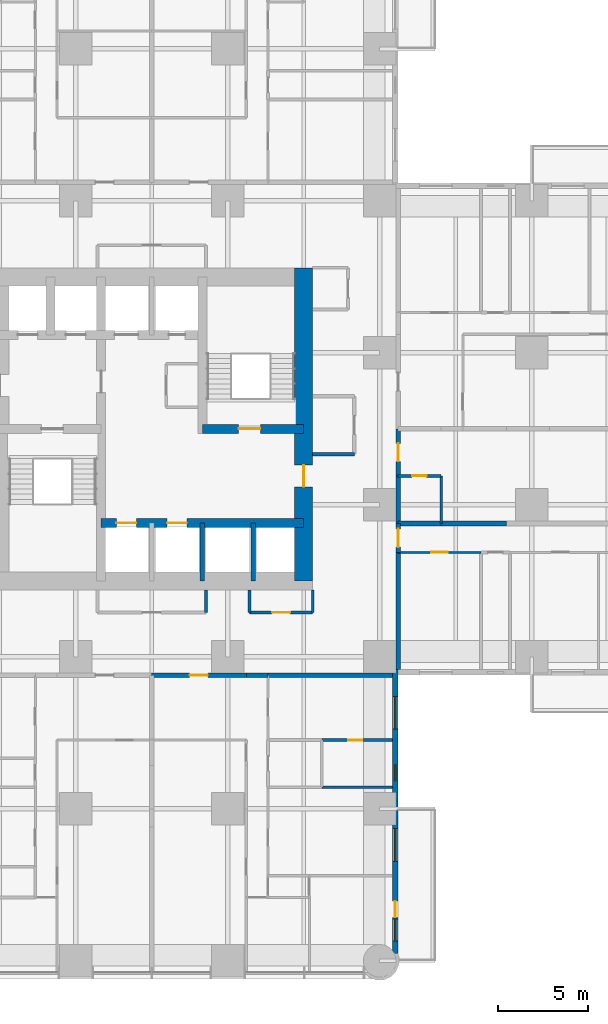
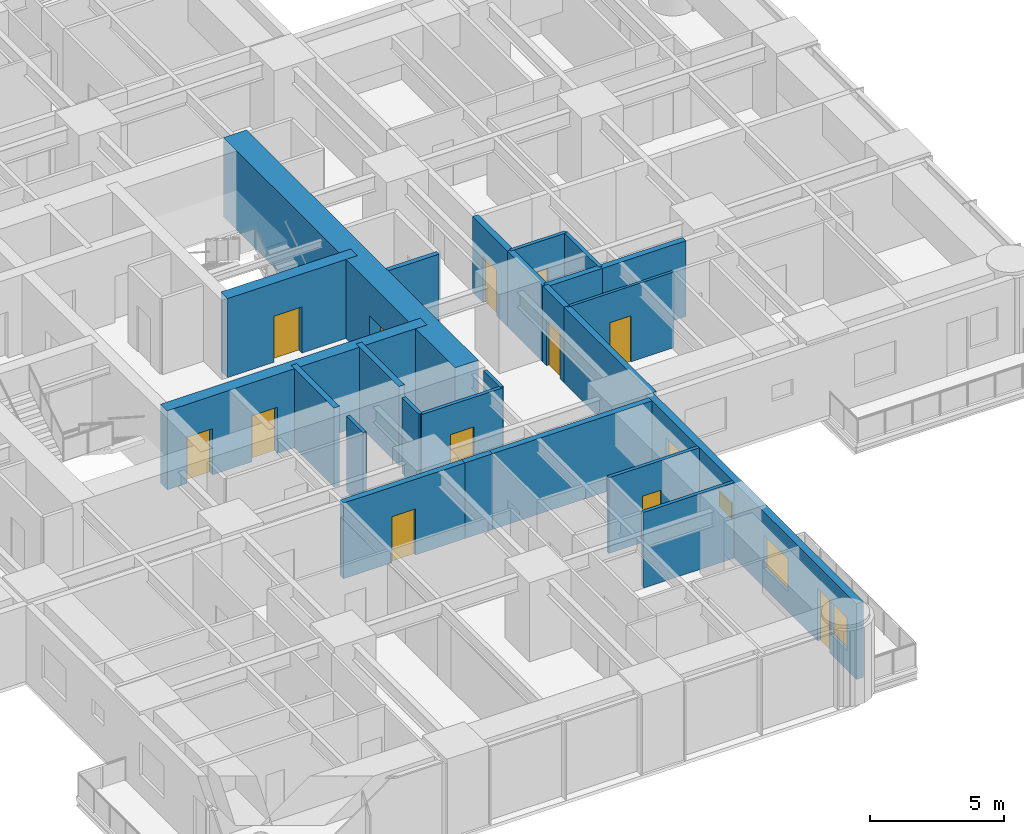
# One storey, part 10 of 17: 25 walls, 12 doors, 4 windows, 16 openings.
"""IFC4 building model written with IfcOpenShell, lengths in metres."""

from ifc_helpers import new_model, si_unit, direction, frame, frame_2d, origin, place, context, subcontext, project, spatial, rectangle, extrude, material, layer, layer_set, type_object, element, fill, save


model = new_model("IFC4")

# Units and contexts
model_context = context("Model", 3, precision=1e-05, world=origin(), true_north=direction((0.0, 1.0)))
body_context = subcontext(model_context, "Body", "Model", "MODEL_VIEW")
ifc_project = project(units=[si_unit("LENGTHUNIT", "METRE"), si_unit("AREAUNIT", "SQUARE_METRE"), si_unit("VOLUMEUNIT", "CUBIC_METRE"), si_unit("PLANEANGLEUNIT", "RADIAN"), si_unit("MASSUNIT", "GRAM", prefix="KILO")], contexts=[model_context])

# Site, building, storey
site_placement = place(None, origin())
site = spatial("IfcSite", under=ifc_project, at=site_placement, CompositionType="ELEMENT")
building_placement = place(site_placement, origin())
building = spatial("IfcBuilding", under=site, at=building_placement, Name="Torre Alcanfor", CompositionType="ELEMENT")
storey_placement = place(building_placement, frame((0.0, 0.0, 59.699951171875)))
storey = spatial("IfcBuildingStorey", under=building, at=storey_placement, Name="L14", CompositionType="ELEMENT", Elevation=59.699951171875)

# Wall, opening, door
ifc_material_1 = material(Name="Concrete block masonry, hollow blocks NMX-C-404 9 MPa", Category="masonry")
ifc_layer_1 = layer(ifc_material_1, 0.25)
ifc_layer_set_1 = layer_set([ifc_layer_1], Name="Apartment entrance wall 250 EI 60")
wall_type_1 = type_object("IfcWallType", Name="Apartment entrance wall 250 EI 60", PredefinedType="PARTITIONING", material=ifc_layer_set_1)
wall_1_placement = place(storey_placement, frame((43.02490234375, 29.39990234375, 0.0), z_axis=(0.0, 0.0, 1.0), x_axis=(0.0, -1.0, 0.0)))
wall_1 = element("IfcWall", 1, at=wall_1_placement, inside=storey, type_object=wall_type_1, Name="Partition L14-CORR / L14-E2A-FOYER", PredefinedType="PARTITIONING", context=body_context, shape_type="SweptSolid", body=[
    extrude(rectangle(XDim=2.599853515625, YDim=0.25, at=frame_2d((1.2998046875, 0.0))), origin(), (0.0, 0.0, 1.0), 3.449951171875),
])
opening_1_placement = place(wall_1_placement, frame((0.800048828125, 0.0, 0.0)))
opening_1 = element("IfcOpeningElement", 2, at=opening_1_placement, cuts=wall_1, Name="Opening D-A1", PredefinedType="OPENING", context=body_context, shape_type="SweptSolid", body=[
    extrude(rectangle(XDim=1.0, YDim=2.10009765625, at=frame_2d((0.5, 1.050048828125))), frame((0.0, 0.135009765625, 0.0), z_axis=(0.0, -1.0, 0.0), x_axis=(1.0, 0.0, 0.0)), (0.0, 0.0, 1.0), 0.27001953125),
])
ifc_material_2 = material(Name="Galvanised steel sheet ASTM A653", Category="steel")
door_type_1 = type_object("IfcDoorType", Name="Apartment entrance door FD60 1000x2100", OperationType="SINGLE_SWING_LEFT", PredefinedType="DOOR", material=ifc_material_2)
door_1_placement = place(opening_1_placement, origin())
door_1 = element("IfcDoor", 3, at=door_1_placement, inside=storey, type_object=door_type_1, Name="Apartment entrance L14-E2A", OperationType="SINGLE_SWING_LEFT", OverallHeight=2.10009765625, OverallWidth=1.0, PredefinedType="DOOR", context=body_context, shape_type="SweptSolid", body=[
    extrude(rectangle(XDim=1.0, YDim=2.10009765625, at=frame_2d((0.5, 1.050048828125))), frame((0.0, 0.02490234375, 0.0), z_axis=(0.0, -1.0, 0.0), x_axis=(1.0, 0.0, 0.0)), (0.0, 0.0, 1.0), 0.050048828125),
])
fill(opening_1, door_1)

# Wall
wall_2_placement = place(storey_placement, frame((43.02490234375, 26.800048828125, 0.0), z_axis=(0.0, 0.0, 1.0), x_axis=(0.0, -1.0, 0.0)))
element("IfcWall", 4, at=wall_2_placement, inside=storey, type_object=wall_type_1, Name="Partition L14-CORR / L14-E2A-BATH", PredefinedType="PARTITIONING", context=body_context, shape_type="SweptSolid", body=[
    extrude(rectangle(XDim=2.629150390625, YDim=0.25, at=frame_2d((1.314453125, 0.0))), origin(), (0.0, 0.0, 1.0), 3.449951171875),
])

# Wall, opening, door
wall_3_placement = place(storey_placement, frame((43.02490234375, 24.1708984375, 0.0), z_axis=(0.0, 0.0, 1.0), x_axis=(0.0, -1.0, 0.0)))
wall_3 = element("IfcWall", 5, at=wall_3_placement, inside=storey, type_object=wall_type_1, Name="Partition L14-CORR / L14-E2B-HALL", PredefinedType="PARTITIONING", context=body_context, shape_type="SweptSolid", body=[
    extrude(rectangle(XDim=1.599853515625, YDim=0.25, at=frame_2d((0.7998046875, 0.0))), origin(), (0.0, 0.0, 1.0), 3.449951171875),
])
opening_2_placement = place(wall_3_placement, frame((0.300048828125, 0.0, 0.0)))
opening_2 = element("IfcOpeningElement", 6, at=opening_2_placement, cuts=wall_3, Name="Opening D-A1", PredefinedType="OPENING", context=body_context, shape_type="SweptSolid", body=[
    extrude(rectangle(XDim=1.0, YDim=2.10009765625, at=frame_2d((0.5, 1.050048828125))), frame((0.0, 0.135009765625, 0.0), z_axis=(0.0, -1.0, 0.0), x_axis=(1.0, 0.0, 0.0)), (0.0, 0.0, 1.0), 0.27001953125),
])
door_2_placement = place(opening_2_placement, origin())
door_2 = element("IfcDoor", 7, at=door_2_placement, inside=storey, type_object=door_type_1, Name="Apartment entrance L14-E2B", OperationType="SINGLE_SWING_LEFT", OverallHeight=2.10009765625, OverallWidth=1.0, PredefinedType="DOOR", context=body_context, shape_type="SweptSolid", body=[
    extrude(rectangle(XDim=1.0, YDim=2.10009765625, at=frame_2d((0.5, 1.050048828125))), frame((0.0, 0.02490234375, 0.0), z_axis=(0.0, -1.0, 0.0), x_axis=(1.0, 0.0, 0.0)), (0.0, 0.0, 1.0), 0.050048828125),
])
fill(opening_2, door_2)

# Wall
wall_4_placement = place(storey_placement, frame((43.02490234375, 22.571044921875, 0.0), z_axis=(0.0, 0.0, 1.0), x_axis=(0.0, -1.0, 0.0)))
element("IfcWall", 8, at=wall_4_placement, inside=storey, type_object=wall_type_1, Name="Partition L14-CORR / L14-E2B-BED2", PredefinedType="PARTITIONING", context=body_context, shape_type="SweptSolid", body=[
    extrude(rectangle(XDim=6.470947265625, YDim=0.25, at=frame_2d((3.2353515625, 0.0))), origin(), (0.0, 0.0, 1.0), 3.449951171875),
])

# Wall, opening, door
wall_5_placement = place(storey_placement, frame((34.62890625, 15.77490234375, 0.0), z_axis=(0.0, 0.0, 1.0), x_axis=(-1.0, 0.0, 0.0)))
wall_5 = element("IfcWall", 9, at=wall_5_placement, inside=storey, type_object=wall_type_1, Name="Partition L14-CORR / L14-S1-ZAG", PredefinedType="PARTITIONING", context=body_context, shape_type="SweptSolid", body=[
    extrude(rectangle(XDim=5.22900390625, YDim=0.25, at=frame_2d((2.614501953125, 0.0))), origin(), (0.0, 0.0, 1.0), 3.449951171875),
])
opening_3_placement = place(wall_5_placement, frame((2.12890625, 0.0, 0.0)))
opening_3 = element("IfcOpeningElement", 10, at=opening_3_placement, cuts=wall_5, Name="Opening D-A1", PredefinedType="OPENING", context=body_context, shape_type="SweptSolid", body=[
    extrude(rectangle(XDim=1.0, YDim=2.10009765625, at=frame_2d((0.5, 1.050048828125))), frame((0.0, 0.135009765625, 0.0), z_axis=(0.0, -1.0, 0.0), x_axis=(1.0, 0.0, 0.0)), (0.0, 0.0, 1.0), 0.27001953125),
])
door_3_placement = place(opening_3_placement, origin())
door_3 = element("IfcDoor", 11, at=door_3_placement, inside=storey, type_object=door_type_1, Name="Apartment entrance L14-S1", OperationType="SINGLE_SWING_RIGHT", OverallHeight=2.10009765625, OverallWidth=1.0, PredefinedType="DOOR", context=body_context, shape_type="SweptSolid", body=[
    extrude(rectangle(XDim=1.0, YDim=2.10009765625, at=frame_2d((0.5, 1.050048828125))), frame((0.0, 0.02490234375, 0.0), z_axis=(0.0, -1.0, 0.0), x_axis=(1.0, 0.0, 0.0)), (0.0, 0.0, 1.0), 0.050048828125),
])
fill(opening_3, door_3)

# Walls
wall_6_placement = place(storey_placement, frame((35.8291015625, 15.77490234375, 0.0), z_axis=(0.0, 0.0, 1.0), x_axis=(-1.0, 0.0, 0.0)))
element("IfcWall", 12, at=wall_6_placement, inside=storey, type_object=wall_type_1, Name="Partition L14-CORR / L14-S1-HALL", PredefinedType="PARTITIONING", context=body_context, shape_type="SweptSolid", body=[
    extrude(rectangle(XDim=1.2001953125, YDim=0.25, at=frame_2d((0.60009765625, 0.0))), origin(), (0.0, 0.0, 1.0), 3.449951171875),
])
wall_7_placement = place(storey_placement, frame((42.699951171875, 15.77490234375, 0.0), z_axis=(0.0, 0.0, 1.0), x_axis=(-1.0, 0.0, 0.0)))
element("IfcWall", 13, at=wall_7_placement, inside=storey, type_object=wall_type_1, Name="Partition L14-CORR / L14-S1-SERV", PredefinedType="PARTITIONING", context=body_context, shape_type="SweptSolid", body=[
    extrude(rectangle(XDim=6.870849609375, YDim=0.25, at=frame_2d((3.435546875, 0.0))), origin(), (0.0, 0.0, 1.0), 3.449951171875),
])

# Wall, opening, door
ifc_material_3 = material(Name="Gypsum board on steel studs", Category="steel")
ifc_layer_2 = layer(ifc_material_3, 0.1201171875)
ifc_layer_set_2 = layer_set([ifc_layer_2], Name="Apartment partition 120")
wall_type_2 = type_object("IfcWallType", Name="Apartment partition 120", PredefinedType="PARTITIONING", material=ifc_layer_set_2)
wall_8_placement = place(storey_placement, frame((47.60009765625, 22.571044921875, 0.0), z_axis=(0.0, 0.0, 1.0), x_axis=(-1.0, 0.0, 0.0)))
wall_8 = element("IfcWall", 14, at=wall_8_placement, inside=storey, type_object=wall_type_2, Name="Partition L14-E2B-HALL / L14-E2B-BED2", PredefinedType="PARTITIONING", context=body_context, shape_type="SweptSolid", body=[
    extrude(rectangle(XDim=4.5751953125, YDim=0.1201171875, at=frame_2d((2.28759765625, 0.0))), origin(), (0.0, 0.0, 1.0), 3.449951171875),
])
opening_4_placement = place(wall_8_placement, frame((1.85009765625, 0.0, 0.0)))
opening_4 = element("IfcOpeningElement", 15, at=opening_4_placement, cuts=wall_8, Name="Opening D-R1", PredefinedType="OPENING", context=body_context, shape_type="SweptSolid", body=[
    extrude(rectangle(XDim=0.89990234375, YDim=2.10009765625, at=frame_2d((0.449951171875, 1.050048828125))), frame((0.0, 0.070068359375, 0.0), z_axis=(0.0, -1.0, 0.0), x_axis=(1.0, 0.0, 0.0)), (0.0, 0.0, 1.0), 0.14013671875),
])
ifc_material_4 = material(Name="Timber", Category="wood")
door_type_2 = type_object("IfcDoorType", Name="Internal door 900x2100", OperationType="SINGLE_SWING_LEFT", PredefinedType="DOOR", material=ifc_material_4)
door_4_placement = place(opening_4_placement, origin())
door_4 = element("IfcDoor", 16, at=door_4_placement, inside=storey, type_object=door_type_2, Name="Door L14-E2B bed2", OperationType="SINGLE_SWING_RIGHT", OverallHeight=2.10009765625, OverallWidth=0.89990234375, PredefinedType="DOOR", context=body_context, shape_type="SweptSolid", body=[
    extrude(rectangle(XDim=0.89990234375, YDim=2.10009765625, at=frame_2d((0.449951171875, 1.050048828125))), frame((0.0, 0.02490234375, 0.0), z_axis=(0.0, -1.0, 0.0), x_axis=(1.0, 0.0, 0.0)), (0.0, 0.0, 1.0), 0.050048828125),
])
fill(opening_4, door_4)

# Wall, openings, doors
ifc_material_5 = material(Name="Concrete f'c 70 MPa", Category="concrete")
ifc_layer_3 = layer(ifc_material_5, 0.5)
ifc_layer_set_3 = layer_set([ifc_layer_3], Name="Core inner wall 500 f'c70")
wall_type_3 = type_object("IfcWallType", Name="Core inner wall 500 f'c70", PredefinedType="SHEAR", material=ifc_layer_set_3)
wall_9_placement = place(storey_placement, frame((26.60009765625, 24.199951171875, 0.0), z_axis=(0.0, 0.0, 1.0), x_axis=(1.0, 0.0, 0.0)))
wall_9 = element("IfcWall", 17, at=wall_9_placement, inside=storey, type_object=wall_type_3, Name="Core wall Y242 L14", PredefinedType="SHEAR", context=body_context, shape_type="SweptSolid", body=[
    extrude(rectangle(XDim=11.199951171875, YDim=0.5, at=frame_2d((5.60009765625, 0.0))), origin(), (0.0, 0.0, 1.0), 3.60009765625),
])
opening_5_placement = place(wall_9_placement, frame((0.85009765625, 0.0, 0.0)))
opening_5 = element("IfcOpeningElement", 18, at=opening_5_placement, cuts=wall_9, Name="Opening LD1", PredefinedType="OPENING", context=body_context, shape_type="SweptSolid", body=[
    extrude(rectangle(XDim=1.10009765625, YDim=2.10009765625, at=frame_2d((0.550048828125, 1.050048828125))), frame((0.0, 0.260009765625, 0.0), z_axis=(0.0, -1.0, 0.0), x_axis=(1.0, 0.0, 0.0)), (0.0, 0.0, 1.0), 0.52001953125),
])
opening_6_placement = place(wall_9_placement, frame((3.64990234375, 0.0, 0.0)))
opening_6 = element("IfcOpeningElement", 19, at=opening_6_placement, cuts=wall_9, Name="Opening LD1", PredefinedType="OPENING", context=body_context, shape_type="SweptSolid", body=[
    extrude(rectangle(XDim=1.10009765625, YDim=2.10009765625, at=frame_2d((0.550048828125, 1.050048828125))), frame((0.0, 0.260009765625, 0.0), z_axis=(0.0, -1.0, 0.0), x_axis=(1.0, 0.0, 0.0)), (0.0, 0.0, 1.0), 0.52001953125),
])
ifc_material_6 = material(Name="Galvanised steel sheet ASTM A653", Category="steel")
door_type_3 = type_object("IfcDoorType", Name="Lift landing door 1100x2100", OperationType="DOUBLE_DOOR_SLIDING", PredefinedType="DOOR", material=ifc_material_6)
door_5_placement = place(opening_5_placement, origin())
door_5 = element("IfcDoor", 20, at=door_5_placement, inside=storey, type_object=door_type_3, Name="Lift landing door PA1 L14", OperationType="DOUBLE_DOOR_SLIDING", OverallHeight=2.10009765625, OverallWidth=1.10009765625, PredefinedType="DOOR", context=body_context, shape_type="SweptSolid", body=[
    extrude(rectangle(XDim=1.10009765625, YDim=2.10009765625, at=frame_2d((0.550048828125, 1.050048828125))), frame((0.0, 0.02490234375, 0.0), z_axis=(0.0, -1.0, 0.0), x_axis=(1.0, 0.0, 0.0)), (0.0, 0.0, 1.0), 0.050048828125),
])
fill(opening_5, door_5)
door_6_placement = place(opening_6_placement, origin())
door_6 = element("IfcDoor", 21, at=door_6_placement, inside=storey, type_object=door_type_3, Name="Lift landing door PA2 L14", OperationType="DOUBLE_DOOR_SLIDING", OverallHeight=2.10009765625, OverallWidth=1.10009765625, PredefinedType="DOOR", context=body_context, shape_type="SweptSolid", body=[
    extrude(rectangle(XDim=1.10009765625, YDim=2.10009765625, at=frame_2d((0.550048828125, 1.050048828125))), frame((0.0, 0.02490234375, 0.0), z_axis=(0.0, -1.0, 0.0), x_axis=(1.0, 0.0, 0.0)), (0.0, 0.0, 1.0), 0.050048828125),
])
fill(opening_6, door_6)

# Wall, opening, door
wall_10_placement = place(storey_placement, frame((32.199951171875, 29.39990234375, 0.0), z_axis=(0.0, 0.0, 1.0), x_axis=(1.0, 0.0, 0.0)))
wall_10 = element("IfcWall", 22, at=wall_10_placement, inside=storey, type_object=wall_type_3, Name="Core wall Y294E L14", PredefinedType="SHEAR", context=body_context, shape_type="SweptSolid", body=[
    extrude(rectangle(XDim=5.60009765625, YDim=0.5, at=frame_2d((2.800048828125, 0.0))), origin(), (0.0, 0.0, 1.0), 3.60009765625),
])
opening_7_placement = place(wall_10_placement, frame((2.0, 0.0, 0.0)))
opening_7 = element("IfcOpeningElement", 23, at=opening_7_placement, cuts=wall_10, Name="Opening D-S2", PredefinedType="OPENING", context=body_context, shape_type="SweptSolid", body=[
    extrude(rectangle(XDim=1.199951171875, YDim=2.10009765625, at=frame_2d((0.60009765625, 1.050048828125))), frame((0.0, 0.260009765625, 0.0), z_axis=(0.0, -1.0, 0.0), x_axis=(1.0, 0.0, 0.0)), (0.0, 0.0, 1.0), 0.52001953125),
])
ifc_material_7 = material(Name="Galvanised steel sheet ASTM A653", Category="steel")
door_type_4 = type_object("IfcDoorType", Name="Stair enclosure door FD120 1200x2100", OperationType="SINGLE_SWING_LEFT", PredefinedType="DOOR", material=ifc_material_7)
door_7_placement = place(opening_7_placement, origin())
door_7 = element("IfcDoor", 24, at=door_7_placement, inside=storey, type_object=door_type_4, Name="Stair S2 door L14", OperationType="SINGLE_SWING_LEFT", OverallHeight=2.10009765625, OverallWidth=1.199951171875, PredefinedType="DOOR", context=body_context, shape_type="SweptSolid", body=[
    extrude(rectangle(XDim=1.199951171875, YDim=2.10009765625, at=frame_2d((0.60009765625, 1.050048828125))), frame((0.0, 0.02490234375, 0.0), z_axis=(0.0, -1.0, 0.0), x_axis=(1.0, 0.0, 0.0)), (0.0, 0.0, 1.0), 0.050048828125),
])
fill(opening_7, door_7)

# Walls
ifc_material_8 = material(Name="Concrete f'c 70 MPa", Category="concrete")
ifc_layer_4 = layer(ifc_material_8, 0.25)
ifc_layer_set_4 = layer_set([ifc_layer_4], Name="Core shaft wall 250 f'c70")
wall_type_4 = type_object("IfcWallType", Name="Core shaft wall 250 f'c70", PredefinedType="SHEAR", material=ifc_layer_set_4)
for number, where, z_axis, x_axis, name in (
    (25, (32.199951171875, 21.0, 0.0), (0.0, 0.0, 1.0), (0.0, 1.0, 0.0), "Core wall X322S L14"),
    (26, (35.0, 21.0, 0.0), (0.0, 0.0, 1.0), (0.0, 1.0, 0.0), "Core wall X350S L14"),
):
    element("IfcWall", number, at=place(storey_placement, frame(where, z_axis=z_axis, x_axis=x_axis)), inside=storey, type_object=wall_type_4, Name=name, PredefinedType="SHEAR", context=body_context, shape_type="SweptSolid", body=[
        extrude(rectangle(XDim=3.199951171875, YDim=0.25, at=frame_2d((1.60009765625, 0.0))), origin(), (0.0, 0.0, 1.0), 3.60009765625),
    ])

# Wall, opening, door
ifc_material_9 = material(Name="Concrete f'c 70 MPa", Category="concrete")
ifc_layer_5 = layer(ifc_material_9, 1.0)
ifc_layer_set_5 = layer_set([ifc_layer_5], Name="Core wall 1000 f'c70")
wall_type_5 = type_object("IfcWallType", Name="Core wall 1000 f'c70", PredefinedType="SHEAR", material=ifc_layer_set_5)
wall_11_placement = place(storey_placement, frame((37.800048828125, 21.0, 0.0), z_axis=(0.0, 0.0, 1.0), x_axis=(0.0, 1.0, 0.0)))
wall_11 = element("IfcWall", 27, at=wall_11_placement, inside=storey, type_object=wall_type_5, Name="Core wall OUT-E L14", PredefinedType="SHEAR", context=body_context, shape_type="SweptSolid", body=[
    extrude(rectangle(XDim=17.300048828125, YDim=1.0, at=frame_2d((8.64990234375, 0.0))), origin(), (0.0, 0.0, 1.0), 3.60009765625),
])
opening_8_placement = place(wall_11_placement, frame((5.199951171875, 0.0, 0.0)))
opening_8 = element("IfcOpeningElement", 28, at=opening_8_placement, cuts=wall_11, Name="Opening D-L1", PredefinedType="OPENING", context=body_context, shape_type="SweptSolid", body=[
    extrude(rectangle(XDim=1.199951171875, YDim=2.10009765625, at=frame_2d((0.60009765625, 1.050048828125))), frame((0.0, 0.510009765625, 0.0), z_axis=(0.0, -1.0, 0.0), x_axis=(1.0, 0.0, 0.0)), (0.0, 0.0, 1.0), 1.02001953125),
])
ifc_material_10 = material(Name="Galvanised steel sheet ASTM A653", Category="steel")
door_type_5 = type_object("IfcDoorType", Name="Lobby door FD120 1200x2100", OperationType="SINGLE_SWING_LEFT", PredefinedType="DOOR", material=ifc_material_10)
door_8_placement = place(opening_8_placement, origin())
door_8 = element("IfcDoor", 29, at=door_8_placement, inside=storey, type_object=door_type_5, Name="Lift lobby entrance door L14", OperationType="SINGLE_SWING_LEFT", OverallHeight=2.10009765625, OverallWidth=1.199951171875, PredefinedType="DOOR", context=body_context, shape_type="SweptSolid", body=[
    extrude(rectangle(XDim=1.199951171875, YDim=2.10009765625, at=frame_2d((0.60009765625, 1.050048828125))), frame((0.0, 0.02490234375, 0.0), z_axis=(0.0, -1.0, 0.0), x_axis=(1.0, 0.0, 0.0)), (0.0, 0.0, 1.0), 0.050048828125),
])
fill(opening_8, door_8)

# Wall, openings, door, windows
ifc_material_11 = material(Name="Limestone cladding", Category="masonry")
ifc_layer_6 = layer(ifc_material_11, 0.0400390625, Name="Facing")
ifc_material_12 = material(Name="Ventilated air cavity")
ifc_layer_7 = layer(ifc_material_12, 0.02001953125, ventilated=True, Name="Ventilated joint")
ifc_material_13 = material(Name="Mineral wool insulation", Category="insulation")
ifc_layer_8 = layer(ifc_material_13, 0.10009765625, Name="Insulation")
ifc_material_14 = material(Name="Concrete f'c 35 MPa", Category="concrete")
ifc_layer_9 = layer(ifc_material_14, 0.139892578125, Name="Backing")
ifc_layer_set_6 = layer_set([ifc_layer_6, ifc_layer_7, ifc_layer_8, ifc_layer_9], Name="External wall stone-clad 300")
wall_type_6 = type_object("IfcWallType", Name="External wall stone-clad 300", PredefinedType="SOLIDWALL", material=ifc_layer_set_6)
wall_12_placement = place(storey_placement, frame((42.85009765625, 0.39990234375, 0.0), z_axis=(0.0, 0.0, 1.0), x_axis=(0.0, 1.0, 0.0)))
wall_12 = element("IfcWall", 30, at=wall_12_placement, inside=storey, type_object=wall_type_6, Name="External wall L14 6", PredefinedType="SOLIDWALL", context=body_context, shape_type="SweptSolid", body=[
    extrude(rectangle(XDim=15.7001953125, YDim=0.300048828125, at=frame_2d((7.85009765625, 0.0))), origin(), (0.0, 0.0, 1.0), 3.449951171875),
])
opening_9_placement = place(wall_12_placement, frame((12.39990234375, 0.0, 0.89990234375)))
opening_9 = element("IfcOpeningElement", 31, at=opening_9_placement, cuts=wall_12, Name="Opening W2", PredefinedType="OPENING", context=body_context, shape_type="SweptSolid", body=[
    extrude(rectangle(XDim=1.800048828125, YDim=1.5, at=frame_2d((0.89990234375, 0.75))), frame((0.0, 0.159912109375, 0.0), z_axis=(0.0, -1.0, 0.0), x_axis=(1.0, 0.0, 0.0)), (0.0, 0.0, 1.0), 0.320068359375),
])
opening_10_placement = place(wall_12_placement, frame((9.550048828125, 0.0, 1.5)))
opening_10 = element("IfcOpeningElement", 32, at=opening_10_placement, cuts=wall_12, Name="Opening W3", PredefinedType="OPENING", context=body_context, shape_type="SweptSolid", body=[
    extrude(rectangle(XDim=0.89990234375, YDim=0.699951171875, at=frame_2d((0.449951171875, 0.35009765625))), frame((0.0, 0.159912109375, 0.0), z_axis=(0.0, -1.0, 0.0), x_axis=(1.0, 0.0, 0.0)), (0.0, 0.0, 1.0), 0.320068359375),
])
opening_11_placement = place(wall_12_placement, frame((5.10009765625, 0.0, 0.89990234375)))
opening_11 = element("IfcOpeningElement", 33, at=opening_11_placement, cuts=wall_12, Name="Opening W2", PredefinedType="OPENING", context=body_context, shape_type="SweptSolid", body=[
    extrude(rectangle(XDim=1.800048828125, YDim=1.5, at=frame_2d((0.89990234375, 0.75))), frame((0.0, 0.159912109375, 0.0), z_axis=(0.0, -1.0, 0.0), x_axis=(1.0, 0.0, 0.0)), (0.0, 0.0, 1.0), 0.320068359375),
])
opening_12_placement = place(wall_12_placement, frame((2.0, 0.0, 0.0)))
opening_12 = element("IfcOpeningElement", 34, at=opening_12_placement, cuts=wall_12, Name="Opening D-B1", PredefinedType="OPENING", context=body_context, shape_type="SweptSolid", body=[
    extrude(rectangle(XDim=0.89990234375, YDim=2.39990234375, at=frame_2d((0.449951171875, 1.199951171875))), frame((0.0, 0.159912109375, 0.0), z_axis=(0.0, -1.0, 0.0), x_axis=(1.0, 0.0, 0.0)), (0.0, 0.0, 1.0), 0.320068359375),
])
opening_13_placement = place(wall_12_placement, frame((0.699951171875, 0.0, 0.89990234375)))
opening_13 = element("IfcOpeningElement", 35, at=opening_13_placement, cuts=wall_12, Name="Opening W4", PredefinedType="OPENING", context=body_context, shape_type="SweptSolid", body=[
    extrude(rectangle(XDim=1.199951171875, YDim=1.5, at=frame_2d((0.60009765625, 0.75))), frame((0.0, 0.159912109375, 0.0), z_axis=(0.0, -1.0, 0.0), x_axis=(1.0, 0.0, 0.0)), (0.0, 0.0, 1.0), 0.320068359375),
])
ifc_material_15 = material(Name="Aluminium and glass", Category="aluminium")
door_type_6 = type_object("IfcDoorType", Name="Balcony door glazed 900x2400", OperationType="SINGLE_SWING_LEFT", PredefinedType="DOOR", material=ifc_material_15)
door_9_placement = place(opening_12_placement, origin())
door_9 = element("IfcDoor", 36, at=door_9_placement, inside=storey, type_object=door_type_6, Name="Balcony door L14-S1", OperationType="SINGLE_SWING_RIGHT", OverallHeight=2.39990234375, OverallWidth=0.89990234375, PredefinedType="DOOR", context=body_context, shape_type="SweptSolid", body=[
    extrude(rectangle(XDim=0.89990234375, YDim=2.39990234375, at=frame_2d((0.449951171875, 1.199951171875))), frame((0.0, 0.02490234375, 0.0), z_axis=(0.0, -1.0, 0.0), x_axis=(1.0, 0.0, 0.0)), (0.0, 0.0, 1.0), 0.050048828125),
])
fill(opening_12, door_9)
ifc_material_16 = material(Name="Aluminium frame with clear double glazing", Category="aluminium")
window_type_1 = type_object("IfcWindowType", Name="Window bathroom 900x700", PartitioningType="SINGLE_PANEL", PredefinedType="WINDOW", material=ifc_material_16)
window_1_placement = place(opening_10_placement, origin())
window_1 = element("IfcWindow", 37, at=window_1_placement, inside=storey, type_object=window_type_1, Name="Window W3 L14-S1", OverallHeight=0.699951171875, OverallWidth=0.89990234375, PartitioningType="SINGLE_PANEL", PredefinedType="WINDOW", context=body_context, shape_type="SweptSolid", body=[
    extrude(rectangle(XDim=0.89990234375, YDim=0.699951171875, at=frame_2d((0.449951171875, 0.35009765625))), frame((0.0, 0.030029296875, 0.0), z_axis=(0.0, -1.0, 0.0), x_axis=(1.0, 0.0, 0.0)), (0.0, 0.0, 1.0), 0.06005859375),
])
fill(opening_10, window_1)
ifc_material_17 = material(Name="Aluminium frame with clear double glazing", Category="aluminium")
window_type_2 = type_object("IfcWindowType", Name="Window bedroom 1200x1500", PartitioningType="SINGLE_PANEL", PredefinedType="WINDOW", material=ifc_material_17)
window_2_placement = place(opening_13_placement, origin())
window_2 = element("IfcWindow", 38, at=window_2_placement, inside=storey, type_object=window_type_2, Name="Window W4 L14-S1", OverallHeight=1.5, OverallWidth=1.199951171875, PartitioningType="SINGLE_PANEL", PredefinedType="WINDOW", context=body_context, shape_type="SweptSolid", body=[
    extrude(rectangle(XDim=1.199951171875, YDim=1.5, at=frame_2d((0.60009765625, 0.75))), frame((0.0, 0.030029296875, 0.0), z_axis=(0.0, -1.0, 0.0), x_axis=(1.0, 0.0, 0.0)), (0.0, 0.0, 1.0), 0.06005859375),
])
fill(opening_13, window_2)
ifc_material_18 = material(Name="Aluminium frame with clear double glazing", Category="aluminium")
window_type_3 = type_object("IfcWindowType", Name="Window bedroom 1800x1500", PartitioningType="SINGLE_PANEL", PredefinedType="WINDOW", material=ifc_material_18)
window_3_placement = place(opening_9_placement, origin())
window_3 = element("IfcWindow", 39, at=window_3_placement, inside=storey, type_object=window_type_3, Name="Window W2 L14-S1", OverallHeight=1.5, OverallWidth=1.800048828125, PartitioningType="SINGLE_PANEL", PredefinedType="WINDOW", context=body_context, shape_type="SweptSolid", body=[
    extrude(rectangle(XDim=1.800048828125, YDim=1.5, at=frame_2d((0.89990234375, 0.75))), frame((0.0, 0.030029296875, 0.0), z_axis=(0.0, -1.0, 0.0), x_axis=(1.0, 0.0, 0.0)), (0.0, 0.0, 1.0), 0.06005859375),
])
fill(opening_9, window_3)
window_4_placement = place(opening_11_placement, origin())
window_4 = element("IfcWindow", 40, at=window_4_placement, inside=storey, type_object=window_type_3, Name="Window W2 L14-S1", OverallHeight=1.5, OverallWidth=1.800048828125, PartitioningType="SINGLE_PANEL", PredefinedType="WINDOW", context=body_context, shape_type="SweptSolid", body=[
    extrude(rectangle(XDim=1.800048828125, YDim=1.5, at=frame_2d((0.89990234375, 0.75))), frame((0.0, 0.030029296875, 0.0), z_axis=(0.0, -1.0, 0.0), x_axis=(1.0, 0.0, 0.0)), (0.0, 0.0, 1.0), 0.06005859375),
])
fill(opening_11, window_4)

# Walls
ifc_material_19 = material(Name="Concrete block masonry, hollow blocks NMX-C-404 9 MPa", Category="masonry")
ifc_layer_10 = layer(ifc_material_19, 0.25)
ifc_layer_set_7 = layer_set([ifc_layer_10], Name="Party wall 250 EI 60")
wall_type_7 = type_object("IfcWallType", Name="Party wall 250 EI 60", PredefinedType="PARTITIONING", material=ifc_layer_set_7)
wall_13_placement = place(storey_placement, frame((45.39990234375, 24.1708984375, 0.0), z_axis=(0.0, 0.0, 1.0), x_axis=(-1.0, 0.0, 0.0)))
element("IfcWall", 41, at=wall_13_placement, inside=storey, type_object=wall_type_7, Name="Partition L14-E2A-BATH / L14-E2B-HALL", PredefinedType="PARTITIONING", context=body_context, shape_type="SweptSolid", body=[
    extrude(rectangle(XDim=2.375, YDim=0.25, at=frame_2d((1.1875, 0.0))), origin(), (0.0, 0.0, 1.0), 3.449951171875),
])
wall_14_placement = place(storey_placement, frame((49.0, 24.1708984375, 0.0), z_axis=(0.0, 0.0, 1.0), x_axis=(-1.0, 0.0, 0.0)))
element("IfcWall", 42, at=wall_14_placement, inside=storey, type_object=wall_type_7, Name="Partition L14-E2A-KITCHEN / L14-E2B-HALL", PredefinedType="PARTITIONING", context=body_context, shape_type="SweptSolid", body=[
    extrude(rectangle(XDim=3.60009765625, YDim=0.25, at=frame_2d((1.800048828125, 0.0))), origin(), (0.0, 0.0, 1.0), 3.449951171875),
])
ifc_material_20 = material(Name="Concrete block masonry, hollow blocks NMX-C-404 9 MPa", Category="masonry")
ifc_layer_11 = layer(ifc_material_20, 0.199951171875)
ifc_layer_set_8 = layer_set([ifc_layer_11], Name="Plant room wall 200 EI 60")
wall_type_8 = type_object("IfcWallType", Name="Plant room wall 200 EI 60", PredefinedType="PARTITIONING", material=ifc_layer_set_8)
wall_15_placement = place(storey_placement, frame((38.300048828125, 28.0, 0.0), z_axis=(0.0, 0.0, 1.0), x_axis=(1.0, 0.0, 0.0)))
element("IfcWall", 43, at=wall_15_placement, inside=storey, type_object=wall_type_8, Name="Partition L14-CORR / L14-G02", PredefinedType="PARTITIONING", context=body_context, shape_type="SweptSolid", body=[
    extrude(rectangle(XDim=2.300048828125, YDim=0.199951171875, at=frame_2d((1.14990234375, 0.0))), origin(), (0.0, 0.0, 1.0), 3.449951171875),
])
ifc_material_21 = material(Name="Concrete block masonry, hollow blocks NMX-C-404 9 MPa", Category="masonry")
ifc_layer_12 = layer(ifc_material_21, 0.14990234375)
ifc_layer_set_9 = layer_set([ifc_layer_12], Name="Residents' room partition 150")
wall_type_9 = type_object("IfcWallType", Name="Residents' room partition 150", PredefinedType="PARTITIONING", material=ifc_layer_set_9)
for number, where, z_axis, x_axis, name in (
    (44, (32.39990234375, 19.25, 0.0), (0.0, 0.0, 1.0), (0.0, 1.0, 0.0), "Partition L14-CORR / L14-G04"),
    (45, (34.800048828125, 20.5, 0.0), (0.0, 0.0, 1.0), (0.0, -1.0, 0.0), "Partition L14-CORR / L14-G05"),
):
    element("IfcWall", number, at=place(storey_placement, frame(where, z_axis=z_axis, x_axis=x_axis)), inside=storey, type_object=wall_type_9, Name=name, PredefinedType="PARTITIONING", context=body_context, shape_type="SweptSolid", body=[
        extrude(rectangle(XDim=1.25, YDim=0.14990234375, at=frame_2d((0.625, 0.0))), origin(), (0.0, 0.0, 1.0), 3.449951171875),
    ])

# Wall, opening, door
wall_16_placement = place(storey_placement, frame((34.800048828125, 19.25, 0.0), z_axis=(0.0, 0.0, 1.0), x_axis=(1.0, 0.0, 0.0)))
wall_16 = element("IfcWall", 46, at=wall_16_placement, inside=storey, type_object=wall_type_9, Name="Partition L14-CORR / L14-G05", PredefinedType="PARTITIONING", context=body_context, shape_type="SweptSolid", body=[
    extrude(rectangle(XDim=3.5, YDim=0.14990234375, at=frame_2d((1.75, 0.0))), origin(), (0.0, 0.0, 1.0), 3.449951171875),
])
opening_14_placement = place(wall_16_placement, frame((1.25, 0.0, 0.0)))
opening_14 = element("IfcOpeningElement", 47, at=opening_14_placement, cuts=wall_16, Name="Opening D-M1", PredefinedType="OPENING", context=body_context, shape_type="SweptSolid", body=[
    extrude(rectangle(XDim=1.0, YDim=2.10009765625, at=frame_2d((0.5, 1.050048828125))), frame((0.0, 0.0849609375, 0.0), z_axis=(0.0, -1.0, 0.0), x_axis=(1.0, 0.0, 0.0)), (0.0, 0.0, 1.0), 0.169921875),
])
ifc_material_22 = material(Name="Timber", Category="wood")
door_type_7 = type_object("IfcDoorType", Name="Residents' room door 1000x2100", OperationType="SINGLE_SWING_LEFT", PredefinedType="DOOR", material=ifc_material_22)
door_10_placement = place(opening_14_placement, origin())
door_10 = element("IfcDoor", 48, at=door_10_placement, inside=storey, type_object=door_type_7, Name="Door L14-G05 residents' storage lockers", OperationType="SINGLE_SWING_LEFT", OverallHeight=2.10009765625, OverallWidth=1.0, PredefinedType="DOOR", context=body_context, shape_type="SweptSolid", body=[
    extrude(rectangle(XDim=1.0, YDim=2.10009765625, at=frame_2d((0.5, 1.050048828125))), frame((0.0, 0.02490234375, 0.0), z_axis=(0.0, -1.0, 0.0), x_axis=(1.0, 0.0, 0.0)), (0.0, 0.0, 1.0), 0.050048828125),
])
fill(opening_14, door_10)

# Wall
wall_17_placement = place(storey_placement, frame((38.300048828125, 19.25, 0.0), z_axis=(0.0, 0.0, 1.0), x_axis=(0.0, 1.0, 0.0)))
element("IfcWall", 49, at=wall_17_placement, inside=storey, type_object=wall_type_9, Name="Partition L14-CORR / L14-G05", PredefinedType="PARTITIONING", context=body_context, shape_type="SweptSolid", body=[
    extrude(rectangle(XDim=1.25, YDim=0.14990234375, at=frame_2d((0.625, 0.0))), origin(), (0.0, 0.0, 1.0), 3.449951171875),
])

# Wall, opening, door
ifc_material_23 = material(Name="Cement board on steel studs", Category="steel")
ifc_layer_13 = layer(ifc_material_23, 0.14990234375)
ifc_layer_set_10 = layer_set([ifc_layer_13], Name="Wet area partition 150")
wall_type_10 = type_object("IfcWallType", Name="Wet area partition 150", PredefinedType="PARTITIONING", material=ifc_layer_set_10)
wall_18_placement = place(storey_placement, frame((45.39990234375, 26.800048828125, 0.0), z_axis=(0.0, 0.0, 1.0), x_axis=(-1.0, 0.0, 0.0)))
wall_18 = element("IfcWall", 50, at=wall_18_placement, inside=storey, type_object=wall_type_10, Name="Partition L14-E2A-FOYER / L14-E2A-BATH", PredefinedType="PARTITIONING", context=body_context, shape_type="SweptSolid", body=[
    extrude(rectangle(XDim=2.375, YDim=0.14990234375, at=frame_2d((1.1875, 0.0))), origin(), (0.0, 0.0, 1.0), 3.449951171875),
])
opening_15_placement = place(wall_18_placement, frame((0.800048828125, 0.0, 0.0)))
opening_15 = element("IfcOpeningElement", 51, at=opening_15_placement, cuts=wall_18, Name="Opening D-R2", PredefinedType="OPENING", context=body_context, shape_type="SweptSolid", body=[
    extrude(rectangle(XDim=0.800048828125, YDim=2.10009765625, at=frame_2d((0.39990234375, 1.050048828125))), frame((0.0, 0.0849609375, 0.0), z_axis=(0.0, -1.0, 0.0), x_axis=(1.0, 0.0, 0.0)), (0.0, 0.0, 1.0), 0.169921875),
])
ifc_material_24 = material(Name="Timber", Category="wood")
door_type_8 = type_object("IfcDoorType", Name="Bathroom door 800x2100", OperationType="SINGLE_SWING_LEFT", PredefinedType="DOOR", material=ifc_material_24)
door_11_placement = place(opening_15_placement, origin())
door_11 = element("IfcDoor", 52, at=door_11_placement, inside=storey, type_object=door_type_8, Name="Door L14-E2A bath", OperationType="SINGLE_SWING_RIGHT", OverallHeight=2.10009765625, OverallWidth=0.800048828125, PredefinedType="DOOR", context=body_context, shape_type="SweptSolid", body=[
    extrude(rectangle(XDim=0.800048828125, YDim=2.10009765625, at=frame_2d((0.39990234375, 1.050048828125))), frame((0.0, 0.02490234375, 0.0), z_axis=(0.0, -1.0, 0.0), x_axis=(1.0, 0.0, 0.0)), (0.0, 0.0, 1.0), 0.050048828125),
])
fill(opening_15, door_11)

# Wall
wall_19_placement = place(storey_placement, frame((45.39990234375, 26.800048828125, 0.0), z_axis=(0.0, 0.0, 1.0), x_axis=(0.0, -1.0, 0.0)))
element("IfcWall", 53, at=wall_19_placement, inside=storey, type_object=wall_type_10, Name="Partition L14-E2A-BATH / L14-E2A-KITCHEN", PredefinedType="PARTITIONING", context=body_context, shape_type="SweptSolid", body=[
    extrude(rectangle(XDim=2.629150390625, YDim=0.14990234375, at=frame_2d((1.314453125, 0.0))), origin(), (0.0, 0.0, 1.0), 3.449951171875),
])

# Wall, opening, door
wall_20_placement = place(storey_placement, frame((38.800048828125, 12.199951171875, 0.0), z_axis=(0.0, 0.0, 1.0), x_axis=(1.0, 0.0, 0.0)))
wall_20 = element("IfcWall", 54, at=wall_20_placement, inside=storey, type_object=wall_type_10, Name="Partition L14-S1-SERV / L14-S1-SBATH", PredefinedType="PARTITIONING", context=body_context, shape_type="SweptSolid", body=[
    extrude(rectangle(XDim=3.89990234375, YDim=0.14990234375, at=frame_2d((1.949951171875, 0.0))), origin(), (0.0, 0.0, 1.0), 3.449951171875),
])
opening_16_placement = place(wall_20_placement, frame((1.449951171875, 0.0, 0.0)))
opening_16 = element("IfcOpeningElement", 55, at=opening_16_placement, cuts=wall_20, Name="Opening D-R2", PredefinedType="OPENING", context=body_context, shape_type="SweptSolid", body=[
    extrude(rectangle(XDim=0.800048828125, YDim=2.10009765625, at=frame_2d((0.39990234375, 1.050048828125))), frame((0.0, 0.0849609375, 0.0), z_axis=(0.0, -1.0, 0.0), x_axis=(1.0, 0.0, 0.0)), (0.0, 0.0, 1.0), 0.169921875),
])
door_12_placement = place(opening_16_placement, frame((0.800048828125, 0.0, 0.0), z_axis=(0.0, 0.0, 1.0), x_axis=(-1.0, 0.0, 0.0)))
door_12 = element("IfcDoor", 56, at=door_12_placement, inside=storey, type_object=door_type_8, Name="Door L14-S1 sbath", OperationType="SINGLE_SWING_RIGHT", OverallHeight=2.10009765625, OverallWidth=0.800048828125, PredefinedType="DOOR", context=body_context, shape_type="SweptSolid", body=[
    extrude(rectangle(XDim=0.800048828125, YDim=2.10009765625, at=frame_2d((0.400146484375, 1.050048828125))), frame((0.0, 0.025146484375, 0.0), z_axis=(0.0, -1.0, 0.0), x_axis=(1.0, 0.0, 0.0)), (0.0, 0.0, 1.0), 0.050048828125),
])
fill(opening_16, door_12)

# Wall
wall_21_placement = place(storey_placement, frame((38.800048828125, 9.60009765625, 0.0), z_axis=(0.0, 0.0, 1.0), x_axis=(1.0, 0.0, 0.0)))
element("IfcWall", 57, at=wall_21_placement, inside=storey, type_object=wall_type_10, Name="Partition L14-S1-SBATH / L14-S1-BED3", PredefinedType="PARTITIONING", context=body_context, shape_type="SweptSolid", body=[
    extrude(rectangle(XDim=3.89990234375, YDim=0.14990234375, at=frame_2d((1.949951171875, 0.0))), origin(), (0.0, 0.0, 1.0), 3.449951171875),
])

save(model, "model.ifc")
